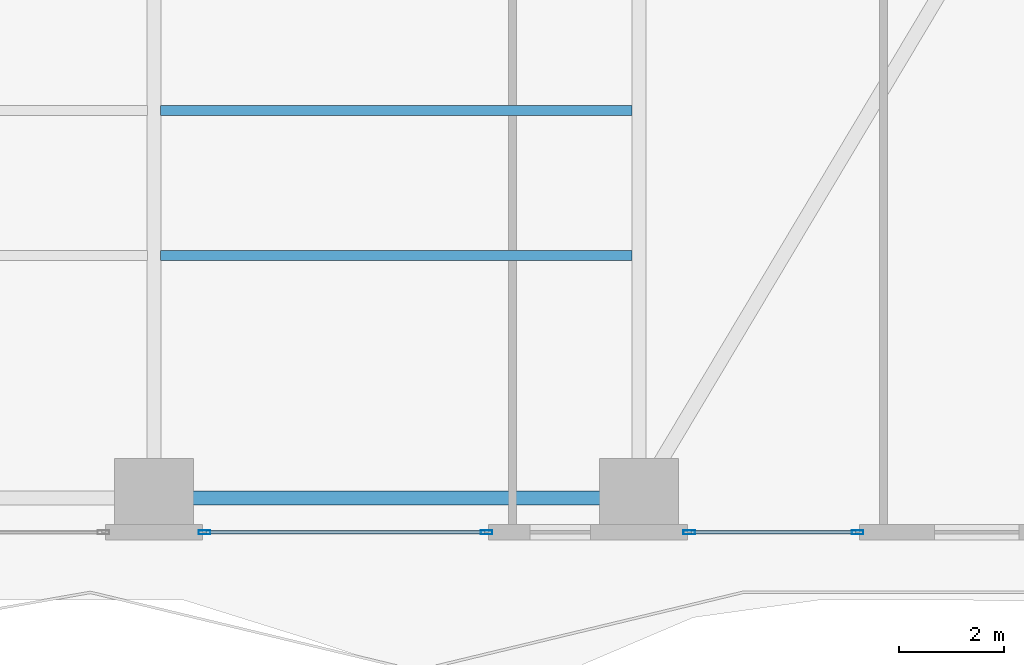
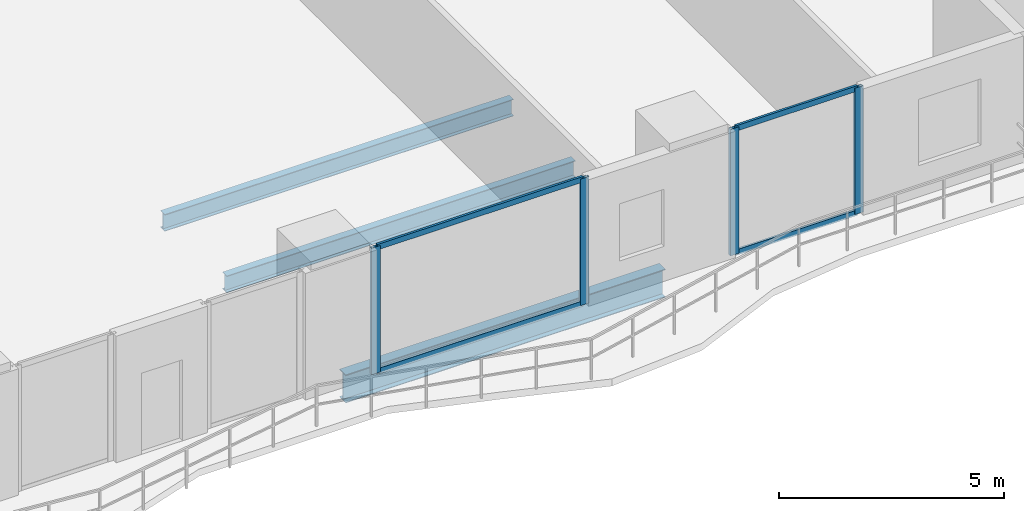
# One storey, part 8 of 28: 8 members, 3 beams, 2 elements without a shape of their own.
"""IFC4 building model written with IfcOpenShell, lengths in metres."""

from ifc_helpers import new_model, si_unit, direction, frame, origin, origin_2d, place, context, subcontext, project, spatial, hollow_rectangle, i_section, extrude, material, layer, layer_set, material_profile, profile_set, type_object, element, aggregate, save


model = new_model("IFC4")

# Units and contexts
model_context = context("Model", 3, precision=1e-05, world=origin(), true_north=direction((0.0, 1.0)))
body_context = subcontext(model_context, "Body", "Model", "MODEL_VIEW")
ifc_project = project(units=[si_unit("LENGTHUNIT", "METRE"), si_unit("AREAUNIT", "SQUARE_METRE"), si_unit("VOLUMEUNIT", "CUBIC_METRE"), si_unit("PLANEANGLEUNIT", "RADIAN"), si_unit("MASSUNIT", "GRAM", prefix="KILO")], contexts=[model_context])

# Site, building, storey
site_placement = place(None, origin())
site = spatial("IfcSite", under=ifc_project, at=site_placement, CompositionType="ELEMENT")
building_placement = place(site_placement, origin())
building = spatial("IfcBuilding", under=site, at=building_placement, Name="Zuhayl Quay Hotel", CompositionType="ELEMENT")
storey_placement = place(building_placement, frame((0.0, 0.0, 71.39990234375)))
storey = spatial("IfcBuildingStorey", under=building, at=storey_placement, Name="L17", CompositionType="ELEMENT", Elevation=71.39990234375)

# Beams
ifc_material_1 = material(Name="Steel ASTM A992 Grade 50", Category="steel")
ifc_material_profile_1 = material_profile(ifc_material_1, i_section(OverallWidth=0.26708984375, OverallDepth=0.761962890625, WebThickness=0.014404296875, FlangeThickness=0.021484375, at=origin_2d()), Name="W30X116")
ifc_profile_set_1 = profile_set([ifc_material_profile_1], Name="Steel ASTM A992 Grade 50")
beam_type_1 = type_object("IfcBeamType", Name="BM_B1_W30X116", PredefinedType="BEAM", material=ifc_profile_set_1)
beam_placement = place(storey_placement, frame((5.10009765625, -22.449951171875, -0.600830078125), z_axis=(1.0, 0.0, 0.0), x_axis=(0.0, 1.0, 0.0)))
element("IfcBeam", 1, at=beam_placement, inside=storey, type_object=beam_type_1, Name="L17 Floor Beam RG_L17_03", PredefinedType="BEAM", context=body_context, shape_type="SweptSolid", body=[
    extrude(i_section(OverallWidth=0.26708984375, OverallDepth=0.761962890625, WebThickness=0.014404296875, FlangeThickness=0.021484375, at=origin_2d()), origin(), (0.0, 0.0, 1.0), 8.199951171875),
])
ifc_material_profile_2 = material_profile(ifc_material_1, i_section(OverallWidth=0.18994140625, OverallDepth=0.45703125, WebThickness=0.009033203125, FlangeThickness=0.014404296875, at=origin_2d()), Name="W18X50")
ifc_profile_set_2 = profile_set([ifc_material_profile_2], Name="Steel ASTM A992 Grade 50")
beam_type_2 = type_object("IfcBeamType", Name="BM_J2_W18X50", PredefinedType="JOIST", material=ifc_profile_set_2)
for number, where, z_axis, x_axis, name in (
    (2, (4.7255859375, -17.85009765625, -0.448486328125), (1.0, 0.0, 0.0), (0.0, 1.0, 0.0), "L17 Floor Beam FJ_L17_3_3"),
    (3, (4.7255859375, -15.10009765625, -0.448486328125), (1.0, 0.0, 0.0), (0.0, 1.0, 0.0), "L17 Floor Beam FJ_L17_4_3"),
):
    element("IfcBeam", number, at=place(storey_placement, frame(where, z_axis=z_axis, x_axis=x_axis)), inside=storey, type_object=beam_type_2, Name=name, PredefinedType="JOIST", context=body_context, shape_type="SweptSolid", body=[
        extrude(i_section(OverallWidth=0.18994140625, OverallDepth=0.45703125, WebThickness=0.009033203125, FlangeThickness=0.014404296875, at=origin_2d()), origin(), (0.0, 0.0, 1.0), 8.948974609375),
    ])

# Curtain wall, members
ifc_material_2 = material(Name="Anodised Aluminium 6063-T6", Category="aluminium")
ifc_layer = layer(ifc_material_2, 0.18994140625, Name="Anodised Aluminium 6063-T6", Category="aluminium")
ifc_layer_set = layer_set([ifc_layer], Name="Anodised Aluminium 6063-T6")
curtain_wall_type = type_object("IfcCurtainWallType", Name="CW_SYS_Z1", PredefinedType="USERDEFINED", material=ifc_layer_set)
curtain_wall_1_placement = place(storey_placement, origin())
curtain_wall_1 = element("IfcCurtainWall", 4, at=curtain_wall_1_placement, inside=storey, type_object=curtain_wall_type, Name="L17 Curtain Wall ENV_L17_S_CW1", ObjectType="UNITISED CURTAIN WALL", PredefinedType="USERDEFINED")
ifc_material_3 = material(Name="Black-anodised aluminium 6063-T6", Category="aluminium")
ifc_material_profile_3 = material_profile(ifc_material_3, hollow_rectangle(XDim=0.074951171875, YDim=0.219970703125, WallThickness=0.00390625, at=origin_2d()), Name="ALU220X75")
ifc_profile_set_3 = profile_set([ifc_material_profile_3], Name="Black-anodised aluminium 6063-T6")
member_type_1 = type_object("IfcMemberType", Name="MB_CW_MUL_220", PredefinedType="MULLION", material=ifc_profile_set_3)
member_1_placement = place(storey_placement, frame((17.952392578125, -23.10009765625, 0.0), z_axis=(0.0, 0.0, 1.0), x_axis=(0.0, -1.0, 0.0)))
member_1 = element("IfcMember", 5, at=member_1_placement, type_object=member_type_1, Name="CW-Z1 mullion 1", PredefinedType="MULLION", context=body_context, shape_type="SweptSolid", body=[
    extrude(hollow_rectangle(XDim=0.074951171875, YDim=0.219970703125, WallThickness=0.00390625, at=origin_2d()), origin(), (0.0, 0.0, 1.0), 3.43017578125),
])
member_2_placement = place(storey_placement, frame((14.757568359375, -23.10009765625, 0.0), z_axis=(0.0, 0.0, 1.0), x_axis=(0.0, -1.0, 0.0)))
member_2 = element("IfcMember", 6, at=member_2_placement, type_object=member_type_1, Name="CW-Z1 mullion 2", PredefinedType="MULLION", context=body_context, shape_type="SweptSolid", body=[
    extrude(hollow_rectangle(XDim=0.074951171875, YDim=0.219970703125, WallThickness=0.00390625, at=origin_2d()), origin(), (0.0, 0.0, 1.0), 3.43017578125),
])

curtain_wall_2_placement = place(storey_placement, origin())
curtain_wall_2 = element("IfcCurtainWall", 7, at=curtain_wall_2_placement, inside=storey, type_object=curtain_wall_type, Name="L17 Curtain Wall ENV_L17_S_CW2", ObjectType="UNITISED CURTAIN WALL", PredefinedType="USERDEFINED")
member_3_placement = place(storey_placement, frame((10.91259765625, -23.10009765625, 0.0), z_axis=(0.0, 0.0, 1.0), x_axis=(0.0, -1.0, 0.0)))
member_3 = element("IfcMember", 8, at=member_3_placement, type_object=member_type_1, Name="CW-Z1 mullion 1", PredefinedType="MULLION", context=body_context, shape_type="SweptSolid", body=[
    extrude(hollow_rectangle(XDim=0.074951171875, YDim=0.219970703125, WallThickness=0.00390625, at=origin_2d()), origin(), (0.0, 0.0, 1.0), 3.43017578125),
])
member_4_placement = place(storey_placement, frame((5.5576171875, -23.10009765625, 0.0), z_axis=(0.0, 0.0, 1.0), x_axis=(0.0, -1.0, 0.0)))
member_4 = element("IfcMember", 9, at=member_4_placement, type_object=member_type_1, Name="CW-Z1 mullion 2", PredefinedType="MULLION", context=body_context, shape_type="SweptSolid", body=[
    extrude(hollow_rectangle(XDim=0.074951171875, YDim=0.219970703125, WallThickness=0.00390625, at=origin_2d()), origin(), (0.0, 0.0, 1.0), 3.43017578125),
])

# Member
ifc_material_profile_4 = material_profile(ifc_material_3, hollow_rectangle(XDim=0.06005859375, YDim=0.14990234375, WallThickness=0.00341796875, at=origin_2d()), Name="ALU150X60")
ifc_profile_set_4 = profile_set([ifc_material_profile_4], Name="Black-anodised aluminium 6063-T6")
member_type_2 = type_object("IfcMemberType", Name="MB_CW_TRN_150", PredefinedType="USERDEFINED", material=ifc_profile_set_4)
member_5_placement = place(storey_placement, frame((17.9150390625, -23.10009765625, 0.030029296875), z_axis=(-1.0, 0.0, 0.0), x_axis=(0.0, -1.0, 0.0)))
member_5 = element("IfcMember", 10, at=member_5_placement, type_object=member_type_2, Name="CW-Z1 transom 1.1", ObjectType="TRANSOM", PredefinedType="USERDEFINED", context=body_context, shape_type="SweptSolid", body=[
    extrude(hollow_rectangle(XDim=0.06005859375, YDim=0.14990234375, WallThickness=0.00341796875, at=origin_2d()), origin(), (0.0, 0.0, 1.0), 3.1201171875),
])

member_6_placement = place(storey_placement, frame((17.9150390625, -23.10009765625, 3.400146484375), z_axis=(-1.0, 0.0, 0.0), x_axis=(0.0, -1.0, 0.0)))
member_6 = element("IfcMember", 11, at=member_6_placement, type_object=member_type_2, Name="CW-Z1 transom 1.2", ObjectType="TRANSOM", PredefinedType="USERDEFINED", context=body_context, shape_type="SweptSolid", body=[
    extrude(hollow_rectangle(XDim=0.06005859375, YDim=0.14990234375, WallThickness=0.00341796875, at=origin_2d()), origin(), (0.0, 0.0, 1.0), 3.1201171875),
])

aggregate(curtain_wall_1, [member_1, member_2, member_5, member_6])

member_7_placement = place(storey_placement, frame((10.875, -23.10009765625, 0.030029296875), z_axis=(-1.0, 0.0, 0.0), x_axis=(0.0, -1.0, 0.0)))
member_7 = element("IfcMember", 12, at=member_7_placement, type_object=member_type_2, Name="CW-Z1 transom 1.1", ObjectType="TRANSOM", PredefinedType="USERDEFINED", context=body_context, shape_type="SweptSolid", body=[
    extrude(hollow_rectangle(XDim=0.06005859375, YDim=0.14990234375, WallThickness=0.00341796875, at=origin_2d()), origin(), (0.0, 0.0, 1.0), 5.280029296875),
])

member_8_placement = place(storey_placement, frame((10.875, -23.10009765625, 3.400146484375), z_axis=(-1.0, 0.0, 0.0), x_axis=(0.0, -1.0, 0.0)))
member_8 = element("IfcMember", 13, at=member_8_placement, type_object=member_type_2, Name="CW-Z1 transom 1.2", ObjectType="TRANSOM", PredefinedType="USERDEFINED", context=body_context, shape_type="SweptSolid", body=[
    extrude(hollow_rectangle(XDim=0.06005859375, YDim=0.14990234375, WallThickness=0.00341796875, at=origin_2d()), origin(), (0.0, 0.0, 1.0), 5.280029296875),
])

aggregate(curtain_wall_2, [member_3, member_4, member_7, member_8])

save(model, "model.ifc")
